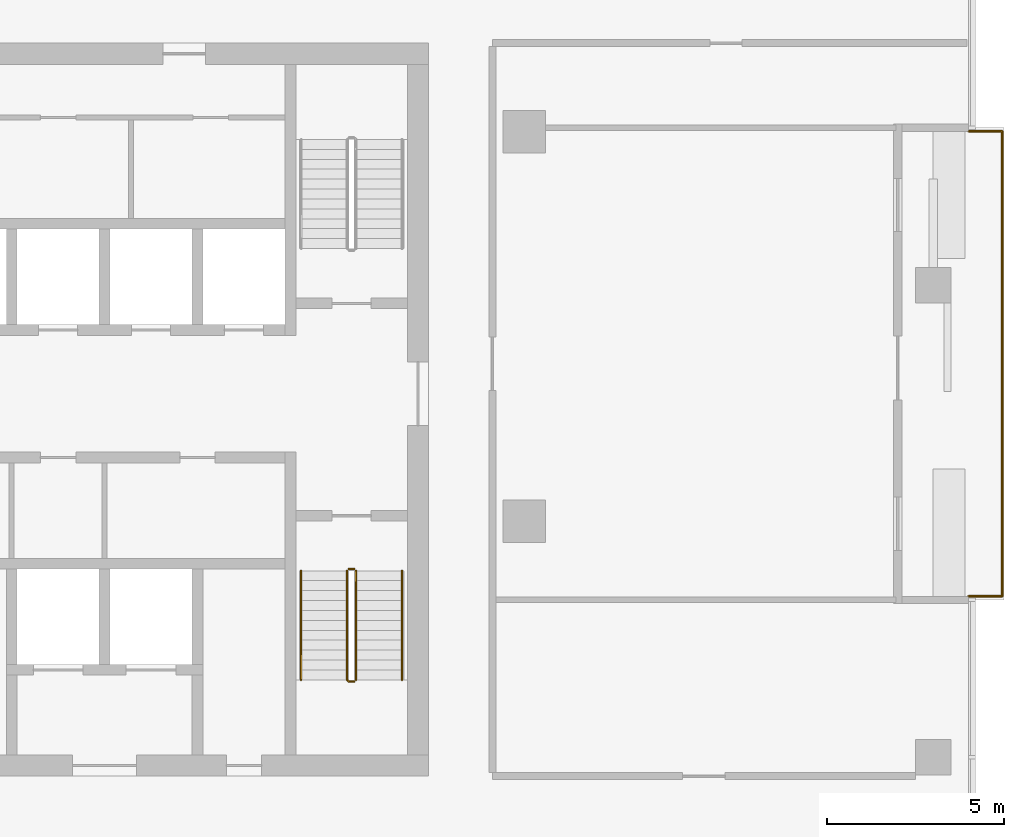
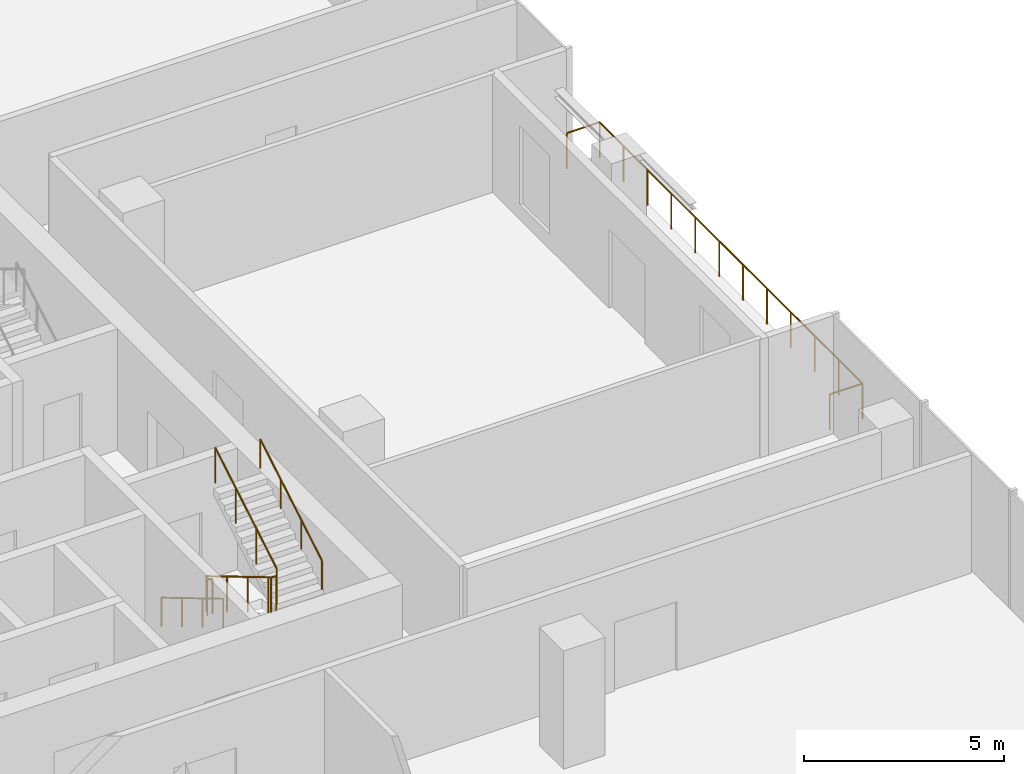
# One storey, part 12 of 13: 6 railings.
"""IFC4 building model written with IfcOpenShell, lengths in metres."""

from ifc_helpers import new_model, si_unit, direction, frame, origin, origin_2d, place, context, subcontext, project, spatial, circle, extrude, material, type_object, element, save


model = new_model("IFC4")

# Units and contexts
model_context = context("Model", 3, precision=1e-05, world=origin(), true_north=direction((0.0, 1.0)))
body_context = subcontext(model_context, "Body", "Model", "MODEL_VIEW")
ifc_project = project(units=[si_unit("LENGTHUNIT", "METRE"), si_unit("AREAUNIT", "SQUARE_METRE"), si_unit("VOLUMEUNIT", "CUBIC_METRE"), si_unit("PLANEANGLEUNIT", "RADIAN"), si_unit("MASSUNIT", "GRAM", prefix="KILO")], contexts=[model_context])

# Site, building, storey
site_placement = place(None, origin())
site = spatial("IfcSite", under=ifc_project, at=site_placement, CompositionType="ELEMENT")
building_placement = place(site_placement, origin())
building = spatial("IfcBuilding", under=site, at=building_placement, Name="Mopane Tessera Tower", CompositionType="ELEMENT")
storey_placement = place(building_placement, frame((0.0, 0.0, 299.39990234375)))
storey = spatial("IfcBuildingStorey", under=building, at=storey_placement, Name="L65", CompositionType="ELEMENT", Elevation=299.39990234375)

# Railings
ifc_material_1 = material(Name="Powder-coated steel balustrade", Category="steel")
railing_type_1 = type_object("IfcRailingType", Name="Escape stair guard 1100 mm", PredefinedType="GUARDRAIL", material=ifc_material_1)
railing_1_placement = place(storey_placement, frame((12.10009765625, -1.39990234375, 0.166748046875)))
element("IfcRailing", 1, at=railing_1_placement, inside=storey, type_object=railing_type_1, Name="L65 ST3 stair guard 1", PredefinedType="GUARDRAIL", context=body_context, shape_type="SweptSolid", body=[
    extrude(circle(Radius=0.02392578125, at=origin_2d()), frame((0.0, 0.0, 1.076171875), z_axis=(0.0, -0.859308565015, 0.511457515432), x_axis=(1.0, 0.0, 0.0)), (0.0, 0.0, 1.0), 3.58447265625),
    extrude(circle(Radius=0.02392578125, at=origin_2d()), frame((0.0, -3.080078125, 2.9091796875), z_axis=(0.705375805398, -0.708833529934, 0.0), x_axis=(0.708833529934, 0.705375805398, 0.0)), (0.0, 0.0, 1.0), 0.070556640625),
    extrude(circle(Radius=0.02392578125, at=origin_2d()), frame((0.0498046875, -3.130126953125, 2.9091796875), z_axis=(1.0, 0.0, 0.0), x_axis=(0.0, 1.0, 0.0)), (0.0, 0.0, 1.0), 0.150146484375),
    extrude(circle(Radius=0.02099609375, at=origin_2d()), origin(), (0.0, 0.0, 1.0), 1.052001953125),
    extrude(circle(Radius=0.02099609375, at=origin_2d()), frame((0.0, -1.026611328125, 0.611083984375)), (0.0, 0.0, 1.0), 1.052001953125),
    extrude(circle(Radius=0.02099609375, at=origin_2d()), frame((0.0, -2.053466796875, 1.22216796875)), (0.0, 0.0, 1.0), 1.052001953125),
    extrude(circle(Radius=0.02099609375, at=origin_2d()), frame((0.0, -3.080078125, 1.833251953125)), (0.0, 0.0, 1.0), 1.052001953125),
    extrude(circle(Radius=0.02099609375, at=origin_2d()), frame((0.0498046875, -3.130126953125, 1.833251953125)), (0.0, 0.0, 1.0), 1.052001953125),
    extrude(circle(Radius=0.02099609375, at=origin_2d()), frame((0.199951171875, -3.130126953125, 1.833251953125)), (0.0, 0.0, 1.0), 1.052001953125),
])
railing_2_placement = place(storey_placement, frame((12.35009765625, -4.47998046875, 2.166748046875)))
element("IfcRailing", 2, at=railing_2_placement, inside=storey, type_object=railing_type_1, Name="L65 ST3 stair guard 2", PredefinedType="GUARDRAIL", context=body_context, shape_type="SweptSolid", body=[
    extrude(circle(Radius=0.02392578125, at=origin_2d()), frame((0.0, 0.0, 1.076171875), z_axis=(0.0, 0.859308565015, 0.511457515432), x_axis=(-1.0, 0.0, 0.0)), (0.0, 0.0, 1.0), 3.58447265625),
    extrude(circle(Radius=0.02099609375, at=origin_2d()), origin(), (0.0, 0.0, 1.0), 1.052001953125),
    extrude(circle(Radius=0.02099609375, at=origin_2d()), frame((0.0, 1.026611328125, 0.611083984375)), (0.0, 0.0, 1.0), 1.052001953125),
    extrude(circle(Radius=0.02099609375, at=origin_2d()), frame((0.0, 2.053466796875, 1.22216796875)), (0.0, 0.0, 1.0), 1.052001953125),
    extrude(circle(Radius=0.02099609375, at=origin_2d()), frame((0.0, 3.080078125, 1.833251953125)), (0.0, 0.0, 1.0), 1.052001953125),
])
railing_3_placement = place(storey_placement, frame((12.14990234375, -1.35009765625, 0.0)))
element("IfcRailing", 3, at=railing_3_placement, inside=storey, type_object=railing_type_1, Name="L65 ST3 stair guard 3", PredefinedType="GUARDRAIL", context=body_context, shape_type="SweptSolid", body=[
    extrude(circle(Radius=0.02392578125, at=origin_2d()), frame((0.0, 0.0, 1.076171875), z_axis=(1.0, 0.0, 0.0), x_axis=(0.0, 1.0, 0.0)), (0.0, 0.0, 1.0), 0.150146484375),
    extrude(circle(Radius=0.02099609375, at=origin_2d()), origin(), (0.0, 0.0, 1.0), 1.052001953125),
    extrude(circle(Radius=0.02099609375, at=origin_2d()), frame((0.150146484375, 0.0, 0.0)), (0.0, 0.0, 1.0), 1.052001953125),
])
ifc_material_2 = material(Name="Powder-coated steel balustrade", Category="steel")
railing_type_2 = type_object("IfcRailingType", Name="Escape stair handrail 900 mm", PredefinedType="HANDRAIL", material=ifc_material_2)
railing_4_placement = place(storey_placement, frame((10.800048828125, -1.39990234375, 0.166748046875)))
element("IfcRailing", 4, at=railing_4_placement, inside=storey, type_object=railing_type_2, Name="L65 ST3 stair handrail 1", PredefinedType="HANDRAIL", context=body_context, shape_type="SweptSolid", body=[
    extrude(circle(Radius=0.02392578125, at=origin_2d()), frame((0.0, 0.0, 0.8759765625), z_axis=(0.0, -0.859308565015, 0.511457515432), x_axis=(1.0, 0.0, 0.0)), (0.0, 0.0, 1.0), 3.58447265625),
    extrude(circle(Radius=0.02099609375, at=origin_2d()), origin(), (0.0, 0.0, 1.0), 0.851806640625),
    extrude(circle(Radius=0.02099609375, at=origin_2d()), frame((0.0, -1.026611328125, 0.611083984375)), (0.0, 0.0, 1.0), 0.851806640625),
    extrude(circle(Radius=0.02099609375, at=origin_2d()), frame((0.0, -2.053466796875, 1.22216796875)), (0.0, 0.0, 1.0), 0.851806640625),
    extrude(circle(Radius=0.02099609375, at=origin_2d()), frame((0.0, -3.080078125, 1.833251953125)), (0.0, 0.0, 1.0), 0.851806640625),
])
railing_5_placement = place(storey_placement, frame((13.64990234375, -4.47998046875, 2.166748046875)))
element("IfcRailing", 5, at=railing_5_placement, inside=storey, type_object=railing_type_2, Name="L65 ST3 stair handrail 2", PredefinedType="HANDRAIL", context=body_context, shape_type="SweptSolid", body=[
    extrude(circle(Radius=0.02392578125, at=origin_2d()), frame((0.0, 0.0, 0.8759765625), z_axis=(0.0, 0.859308565015, 0.511457515432), x_axis=(-1.0, 0.0, 0.0)), (0.0, 0.0, 1.0), 3.58447265625),
    extrude(circle(Radius=0.02099609375, at=origin_2d()), origin(), (0.0, 0.0, 1.0), 0.851806640625),
    extrude(circle(Radius=0.02099609375, at=origin_2d()), frame((0.0, 1.026611328125, 0.611083984375)), (0.0, 0.0, 1.0), 0.851806640625),
    extrude(circle(Radius=0.02099609375, at=origin_2d()), frame((0.0, 2.053466796875, 1.22216796875)), (0.0, 0.0, 1.0), 0.851806640625),
    extrude(circle(Radius=0.02099609375, at=origin_2d()), frame((0.0, 3.080078125, 1.833251953125)), (0.0, 0.0, 1.0), 0.851806640625),
])
ifc_material_3 = material(Name="Stainless steel S316", Category="steel")
railing_type_3 = type_object("IfcRailingType", Name="Terrace guard 1100", PredefinedType="GUARDRAIL", material=ifc_material_3)
railing_6_placement = place(storey_placement, frame((29.64990234375, -2.122314453125, 0.0)))
element("IfcRailing", 6, at=railing_6_placement, inside=storey, type_object=railing_type_3, Name="e:nw:L65:N1:guard", PredefinedType="GUARDRAIL", context=body_context, shape_type="SweptSolid", body=[
    extrude(circle(Radius=0.02392578125, at=origin_2d()), frame((0.0, 0.0, 1.076171875), z_axis=(1.0, 0.0, 0.0), x_axis=(0.0, 1.0, 0.0)), (0.0, 0.0, 1.0), 0.9501953125),
    extrude(circle(Radius=0.02392578125, at=origin_2d()), frame((0.9501953125, 0.0, 1.076171875), z_axis=(0.0, 1.0, 0.0), x_axis=(-1.0, 0.0, 0.0)), (0.0, 0.0, 1.0), 13.133544921875),
    extrude(circle(Radius=0.02392578125, at=origin_2d()), frame((0.9501953125, 13.133544921875, 1.076171875), z_axis=(-1.0, 0.0, 0.0), x_axis=(0.0, -1.0, 0.0)), (0.0, 0.0, 1.0), 0.9501953125),
    extrude(circle(Radius=0.02099609375, at=origin_2d()), origin(), (0.0, 0.0, 1.0), 1.052001953125),
    extrude(circle(Radius=0.02099609375, at=origin_2d()), frame((0.9501953125, 0.0, 0.0)), (0.0, 0.0, 1.0), 1.052001953125),
    extrude(circle(Radius=0.02099609375, at=origin_2d()), frame((0.9501953125, 1.19384765625, 0.0)), (0.0, 0.0, 1.0), 1.052001953125),
    extrude(circle(Radius=0.02099609375, at=origin_2d()), frame((0.9501953125, 2.387939453125, 0.0)), (0.0, 0.0, 1.0), 1.052001953125),
    extrude(circle(Radius=0.02099609375, at=origin_2d()), frame((0.9501953125, 3.581787109375, 0.0)), (0.0, 0.0, 1.0), 1.052001953125),
    extrude(circle(Radius=0.02099609375, at=origin_2d()), frame((0.9501953125, 4.77587890625, 0.0)), (0.0, 0.0, 1.0), 1.052001953125),
    extrude(circle(Radius=0.02099609375, at=origin_2d()), frame((0.9501953125, 5.9697265625, 0.0)), (0.0, 0.0, 1.0), 1.052001953125),
    extrude(circle(Radius=0.02099609375, at=origin_2d()), frame((0.9501953125, 7.163818359375, 0.0)), (0.0, 0.0, 1.0), 1.052001953125),
    extrude(circle(Radius=0.02099609375, at=origin_2d()), frame((0.9501953125, 8.357666015625, 0.0)), (0.0, 0.0, 1.0), 1.052001953125),
    extrude(circle(Radius=0.02099609375, at=origin_2d()), frame((0.9501953125, 9.5517578125, 0.0)), (0.0, 0.0, 1.0), 1.052001953125),
    extrude(circle(Radius=0.02099609375, at=origin_2d()), frame((0.9501953125, 10.74560546875, 0.0)), (0.0, 0.0, 1.0), 1.052001953125),
    extrude(circle(Radius=0.02099609375, at=origin_2d()), frame((0.9501953125, 11.939697265625, 0.0)), (0.0, 0.0, 1.0), 1.052001953125),
    extrude(circle(Radius=0.02099609375, at=origin_2d()), frame((0.9501953125, 13.133544921875, 0.0)), (0.0, 0.0, 1.0), 1.052001953125),
    extrude(circle(Radius=0.02099609375, at=origin_2d()), frame((0.0, 13.133544921875, 0.0)), (0.0, 0.0, 1.0), 1.052001953125),
])

save(model, "model.ifc")
